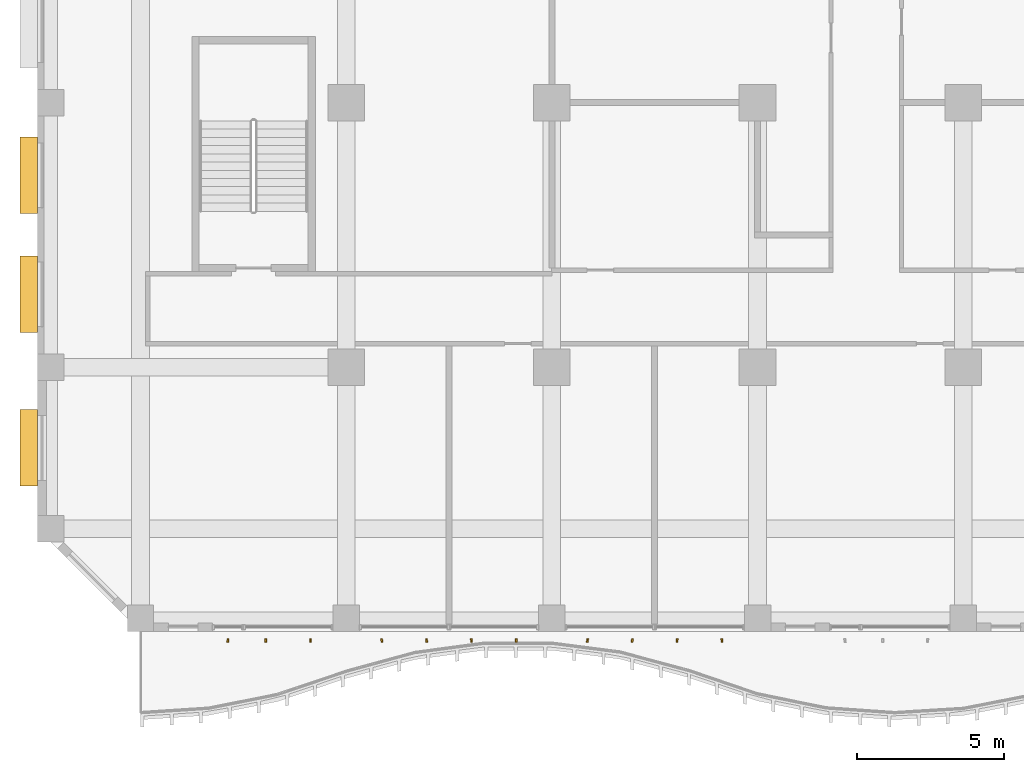
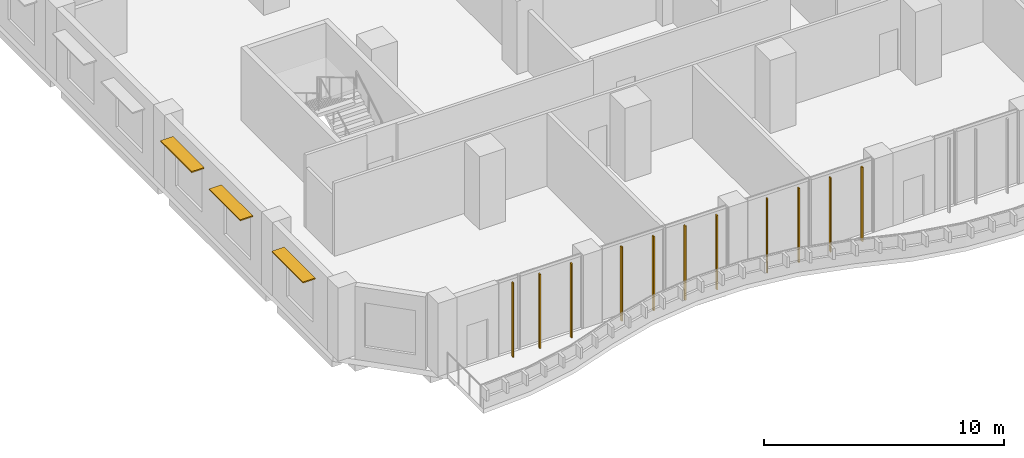
# One storey, part 19 of 26: 14 shading devices.
"""IFC4 building model written with IfcOpenShell, lengths in metres."""

from ifc_helpers import new_model, si_unit, direction, frame, origin, origin_2d, place, context, subcontext, project, spatial, rectangle, extrude, source, transform, mapped, material, layer, layer_set, material_profile, profile_set, type_object, element, save


model = new_model("IFC4")

# Units and contexts
model_context = context("Model", 3, precision=1e-05, world=origin(), true_north=direction((0.0, 1.0)))
body_context = subcontext(model_context, "Body", "Model", "MODEL_VIEW")
ifc_project = project(units=[si_unit("LENGTHUNIT", "METRE"), si_unit("AREAUNIT", "SQUARE_METRE"), si_unit("VOLUMEUNIT", "CUBIC_METRE"), si_unit("PLANEANGLEUNIT", "RADIAN"), si_unit("MASSUNIT", "GRAM", prefix="KILO")], contexts=[model_context])

# Site, building, storey
site_placement = place(None, origin())
site = spatial("IfcSite", under=ifc_project, at=site_placement, CompositionType="ELEMENT")
building_placement = place(site_placement, origin())
building = spatial("IfcBuilding", under=site, at=building_placement, Name="Kilnfold Tower and Market Hall", CompositionType="ELEMENT")
storey_placement = place(building_placement, frame((0.0, 0.0, 83.199951171875)))
storey = spatial("IfcBuildingStorey", under=building, at=storey_placement, Name="L19", CompositionType="ELEMENT", Elevation=83.199951171875)

# Shading devices
ifc_material_1 = material(Name="Terracotta", Category="masonry")
ifc_material_profile = material_profile(ifc_material_1, rectangle(XDim=0.06005859375, YDim=0.1201171875, at=origin_2d()), Name="BAG 60x120")
ifc_profile_set = profile_set([ifc_material_profile], Name="Terracotta")
shading_device_type_1 = type_object("IfcShadingDeviceType", Name="BAGUETTE", PredefinedType="USERDEFINED", material=ifc_profile_set)
shared_shape_1 = source(origin(), body_context, "Body", "SweptSolid", [
    extrude(rectangle(XDim=0.06005859375, YDim=0.1201171875, at=origin_2d()), origin(), (0.0, 0.0, 1.0), 3.780029296875),
])
for number, where, z_axis, x_axis, name in (
    (1, (-16.52490234375, -28.300048828125, 0.0), (0.0, 0.0, 1.0), (0.993367749576, -0.114980494447, 0.0), "Terracotta baguette L19 S"),
    (2, (-15.237548828125, -28.300048828125, 0.0), (0.0, 0.0, 1.0), (0.998571291431, -0.053435717743, 0.0), "Terracotta baguette L19 S"),
    (3, (-13.71240234375, -28.300048828125, 0.0), (0.0, 0.0, 1.0), (0.99919502538, 0.040116097219, 0.0), "Terracotta baguette L19 S"),
    (4, (-11.28759765625, -28.300048828125, 0.0), (0.0, 0.0, 1.0), (0.990618060512, 0.136659643597, 0.0), "Terracotta baguette L19 S"),
    (5, (-9.762451171875, -28.300048828125, 0.0), (0.0, 0.0, 1.0), (0.992448845136, 0.122659242569, 0.0), "Terracotta baguette L19 S"),
    (6, (-8.237548828125, -28.300048828125, 0.0), (0.0, 0.0, 1.0), (0.998571291431, 0.053435717743, 0.0), "Terracotta baguette L19 S"),
    (7, (-6.71240234375, -28.300048828125, 0.0), (0.0, 0.0, 1.0), (0.99919502538, -0.040116097219, 0.0), "Terracotta baguette L19 S"),
    (8, (-4.28759765625, -28.300048828125, 0.0), (0.0, 0.0, 1.0), (0.990618060512, -0.136659643597, 0.0), "Terracotta baguette L19 S"),
    (9, (-2.762451171875, -28.300048828125, 0.0), (0.0, 0.0, 1.0), (0.992448845136, -0.122659242569, 0.0), "Terracotta baguette L19 S"),
    (10, (-1.237548828125, -28.300048828125, 0.0), (0.0, 0.0, 1.0), (0.998571291431, -0.053435717743, 0.0), "Terracotta baguette L19 S"),
    (11, (0.28759765625, -28.300048828125, 0.0), (0.0, 0.0, 1.0), (0.99919502538, 0.040116097219, 0.0), "Terracotta baguette L19 S"),
):
    element("IfcShadingDevice", number, at=place(storey_placement, frame(where, z_axis=z_axis, x_axis=x_axis)), inside=storey, type_object=shading_device_type_1, Name=name, ObjectType="BAGUETTE", PredefinedType="USERDEFINED", context=body_context, shape_type="MappedRepresentation", body=[
        mapped(shared_shape_1, transform((0.0, 0.0, 0.0))),
    ])
ifc_material_2 = material(Name="Terracotta", Category="masonry")
ifc_layer = layer(ifc_material_2, 0.06005859375)
ifc_layer_set = layer_set([ifc_layer], Name="Terracotta")
shading_device_type_2 = type_object("IfcShadingDeviceType", Name="SUNSHADE BLADE 600", PredefinedType="USERDEFINED", material=ifc_layer_set)
shared_shape_2 = source(origin(), body_context, "Body", "SweptSolid", [
    extrude(rectangle(XDim=2.60009765625, YDim=0.60009765625, at=origin_2d()), origin(), (0.0, 0.0, 1.0), 0.06005859375),
])
for number, where, z_axis, x_axis, name in (
    (12, (-23.300048828125, -12.47509765625, 3.030029296875), (0.0, 0.0, 1.0), (0.0, -1.0, 0.0), "Sunshade L19 W"),
    (13, (-23.300048828125, -16.52490234375, 3.030029296875), (0.0, 0.0, 1.0), (0.0, -1.0, 0.0), "Sunshade L19 W"),
    (14, (-23.300048828125, -21.75, 3.030029296875), (0.0, 0.0, 1.0), (0.0, -1.0, 0.0), "Sunshade L19 W"),
):
    element("IfcShadingDevice", number, at=place(storey_placement, frame(where, z_axis=z_axis, x_axis=x_axis)), inside=storey, type_object=shading_device_type_2, Name=name, ObjectType="SUNSHADE", PredefinedType="USERDEFINED", context=body_context, shape_type="MappedRepresentation", body=[
        mapped(shared_shape_2, transform((0.0, 0.0, 0.0))),
    ])

save(model, "model.ifc")
